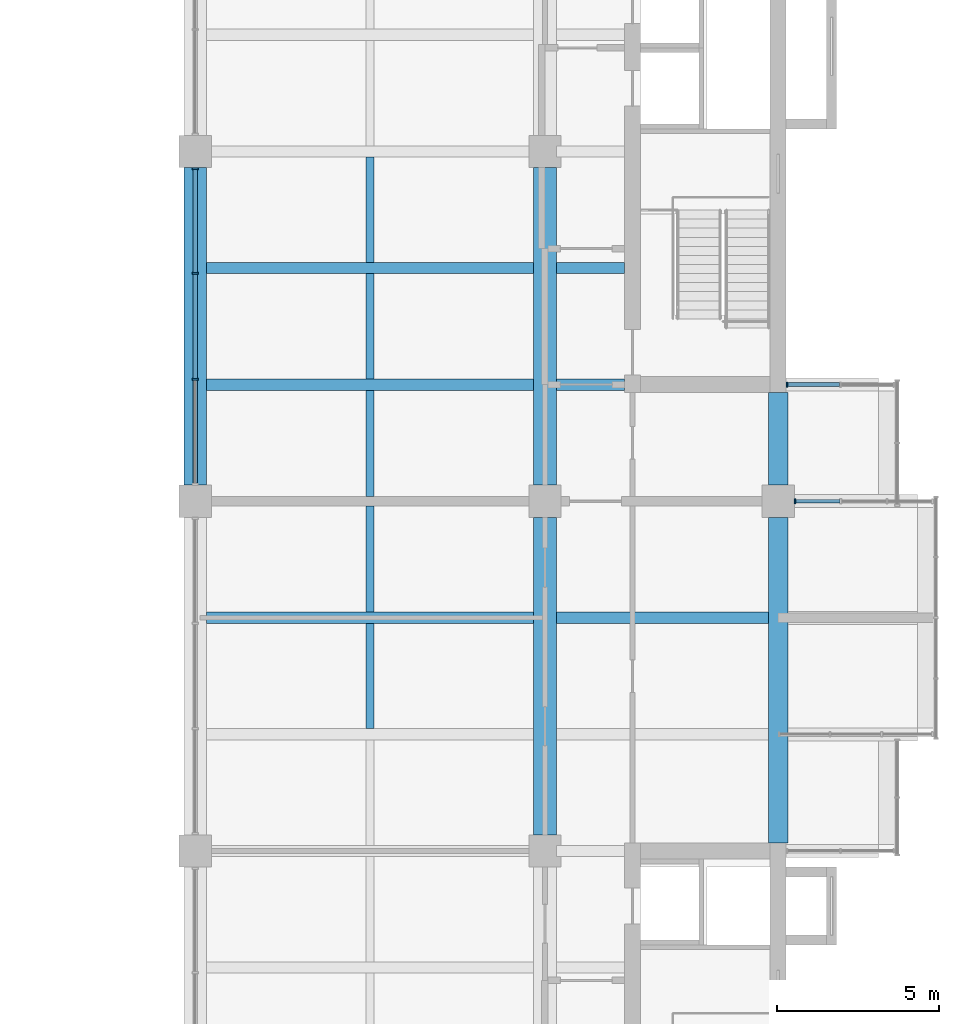
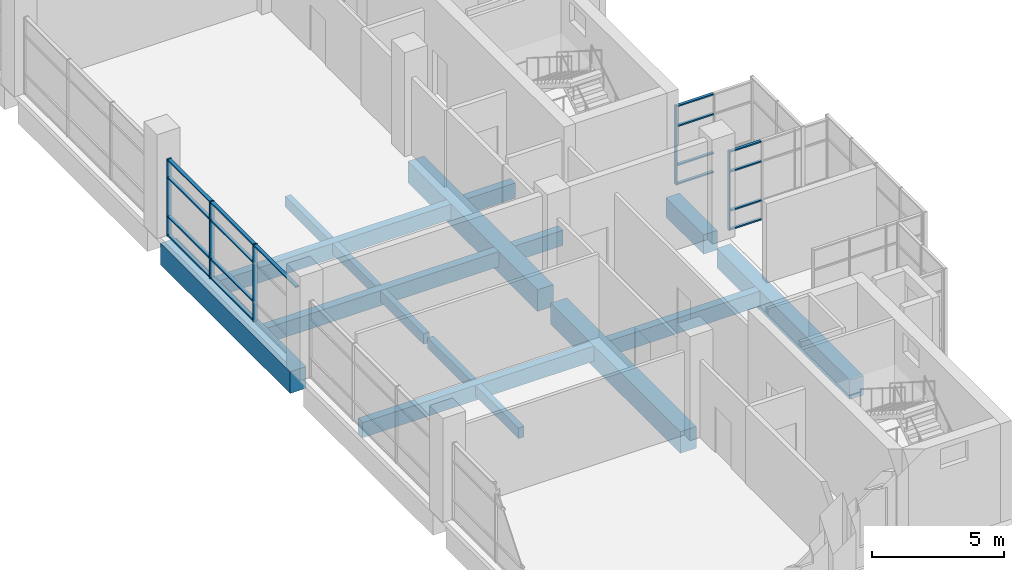
# One storey, part 6 of 30: 22 members, 16 beams, 3 elements without a shape of their own.
"""IFC4 building model written with IfcOpenShell, lengths in metres."""

from ifc_helpers import new_model, si_unit, direction, frame, origin, origin_2d, place, context, subcontext, project, spatial, rectangle, extrude, material, layer, layer_set, material_profile, profile_set, type_object, element, aggregate, save


model = new_model("IFC4")

# Units and contexts
model_context = context("Model", 3, precision=1e-05, world=origin(), true_north=direction((0.0, 1.0)))
body_context = subcontext(model_context, "Body", "Model", "MODEL_VIEW")
ifc_project = project(units=[si_unit("LENGTHUNIT", "METRE"), si_unit("AREAUNIT", "SQUARE_METRE"), si_unit("VOLUMEUNIT", "CUBIC_METRE"), si_unit("PLANEANGLEUNIT", "RADIAN"), si_unit("MASSUNIT", "GRAM", prefix="KILO")], contexts=[model_context])

# Site, building, storey
site_placement = place(None, origin())
site = spatial("IfcSite", under=ifc_project, at=site_placement, CompositionType="ELEMENT")
building_placement = place(site_placement, origin())
building = spatial("IfcBuilding", under=site, at=building_placement, Name="Basin Gate Institute", CompositionType="ELEMENT")
storey_placement = place(building_placement, frame((0.0, 0.0, 36.60009765625)))
storey = spatial("IfcBuildingStorey", under=building, at=storey_placement, Name="L07", CompositionType="ELEMENT", Elevation=36.60009765625)

# Beams
ifc_material_1 = material(Name="Concrete 40 MPa", Category="concrete")
ifc_material_profile_1 = material_profile(ifc_material_1, rectangle(XDim=0.35009765625, YDim=0.699951171875, at=origin_2d()), Name="Beam B1 350 x 700")
ifc_profile_set_1 = profile_set([ifc_material_profile_1], Name="Concrete 40 MPa")
beam_type_1 = type_object("IfcBeamType", Name="Beam B1 R120", PredefinedType="BEAM", material=ifc_profile_set_1)
beam_1_placement = place(storey_placement, frame((111.25, 53.10009765625, -0.60009765625), z_axis=(-1.0, 0.0, 0.0), x_axis=(0.0, -1.0, 0.0)))
element("IfcBeam", 1, at=beam_1_placement, inside=storey, type_object=beam_type_1, material=ifc_profile_set_1, Name="BEAM/L07/E/EW/06", PredefinedType="BEAM", context=body_context, shape_type="SweptSolid", body=[
    extrude(rectangle(XDim=0.35009765625, YDim=0.699951171875, at=origin_2d()), origin(), (0.0, 0.0, 1.0), 10.10009765625),
])
beam_2_placement = place(storey_placement, frame((118.5, 53.10009765625, -0.60009765625), z_axis=(-1.0, 0.0, 0.0), x_axis=(0.0, -1.0, 0.0)))
element("IfcBeam", 2, at=beam_2_placement, inside=storey, type_object=beam_type_1, material=ifc_profile_set_1, Name="BEAM/L07/E/OUT/06", PredefinedType="BEAM", context=body_context, shape_type="SweptSolid", body=[
    extrude(rectangle(XDim=0.35009765625, YDim=0.699951171875, at=origin_2d()), origin(), (0.0, 0.0, 1.0), 6.550048828125),
])
beam_3_placement = place(storey_placement, frame((111.25, 60.300048828125, -0.60009765625), z_axis=(-1.0, 0.0, 0.0), x_axis=(0.0, -1.0, 0.0)))
element("IfcBeam", 3, at=beam_3_placement, inside=storey, type_object=beam_type_1, material=ifc_profile_set_1, Name="BEAM/L07/E/EW/08", PredefinedType="BEAM", context=body_context, shape_type="SweptSolid", body=[
    extrude(rectangle(XDim=0.35009765625, YDim=0.699951171875, at=origin_2d()), origin(), (0.0, 0.0, 1.0), 10.10009765625),
])
beam_4_placement = place(storey_placement, frame((114.050048828125, 60.300048828125, -0.60009765625), z_axis=(-1.0, 0.0, 0.0), x_axis=(0.0, -1.0, 0.0)))
element("IfcBeam", 4, at=beam_4_placement, inside=storey, type_object=beam_type_1, material=ifc_profile_set_1, Name="BEAM/L07/E/CORR/08", PredefinedType="BEAM", context=body_context, shape_type="SweptSolid", body=[
    extrude(rectangle(XDim=0.35009765625, YDim=0.699951171875, at=origin_2d()), origin(), (0.0, 0.0, 1.0), 2.10009765625),
])
beam_5_placement = place(storey_placement, frame((111.25, 63.89990234375, -0.60009765625), z_axis=(-1.0, 0.0, 0.0), x_axis=(0.0, -1.0, 0.0)))
element("IfcBeam", 5, at=beam_5_placement, inside=storey, type_object=beam_type_1, material=ifc_profile_set_1, Name="BEAM/L07/E/EW/09", PredefinedType="BEAM", context=body_context, shape_type="SweptSolid", body=[
    extrude(rectangle(XDim=0.35009765625, YDim=0.699951171875, at=origin_2d()), origin(), (0.0, 0.0, 1.0), 10.10009765625),
])
beam_6_placement = place(storey_placement, frame((114.050048828125, 63.89990234375, -0.60009765625), z_axis=(-1.0, 0.0, 0.0), x_axis=(0.0, -1.0, 0.0)))
element("IfcBeam", 6, at=beam_6_placement, inside=storey, type_object=beam_type_1, material=ifc_profile_set_1, Name="BEAM/L07/E/CORR/09", PredefinedType="BEAM", context=body_context, shape_type="SweptSolid", body=[
    extrude(rectangle(XDim=0.35009765625, YDim=0.699951171875, at=origin_2d()), origin(), (0.0, 0.0, 1.0), 2.10009765625),
])
ifc_material_2 = material(Name="Concrete 50 MPa", Category="concrete")
ifc_material_profile_2 = material_profile(ifc_material_2, rectangle(XDim=0.60009765625, YDim=0.89990234375, at=origin_2d()), Name="Edge beam EB1 600 x 900")
ifc_profile_set_2 = profile_set([ifc_material_profile_2], Name="Concrete 50 MPa")
beam_type_2 = type_object("IfcBeamType", Name="Edge beam EB1 R120", PredefinedType="SPANDREL", material=ifc_profile_set_2)
beam_7_placement = place(storey_placement, frame((118.800048828125, 46.14990234375, -0.7001953125), z_axis=(0.0, 1.0, 0.0), x_axis=(-1.0, 0.0, 0.0)))
element("IfcBeam", 7, at=beam_7_placement, inside=storey, type_object=beam_type_2, material=ifc_profile_set_2, Name="BEAM/L07/E/EDGE/1", PredefinedType="SPANDREL", context=body_context, shape_type="SweptSolid", body=[
    extrude(rectangle(XDim=0.60009765625, YDim=0.89990234375, at=origin_2d()), origin(), (0.0, 0.0, 1.0), 10.050048828125),
])
ifc_material_3 = material(Name="Concrete 50 MPa", Category="concrete")
ifc_material_profile_3 = material_profile(ifc_material_3, rectangle(XDim=0.60009765625, YDim=0.89990234375, at=origin_2d()), Name="Edge return beam EB3 600 x 900")
ifc_profile_set_3 = profile_set([ifc_material_profile_3], Name="Concrete 50 MPa")
beam_type_3 = type_object("IfcBeamType", Name="Edge return beam EB3 R120", PredefinedType="SPANDREL", material=ifc_profile_set_3)
beam_8_placement = place(storey_placement, frame((118.800048828125, 57.199951171875, -0.7001953125), z_axis=(0.0, 1.0, 0.0), x_axis=(-1.0, 0.0, 0.0)))
element("IfcBeam", 8, at=beam_8_placement, inside=storey, type_object=beam_type_3, material=ifc_profile_set_3, Name="BEAM/L07/E/EDGE/2", PredefinedType="SPANDREL", context=body_context, shape_type="SweptSolid", body=[
    extrude(rectangle(XDim=0.60009765625, YDim=0.89990234375, at=origin_2d()), origin(), (0.0, 0.0, 1.0), 2.85009765625),
])
ifc_material_4 = material(Name="Concrete 50 MPa", Category="concrete")
ifc_material_profile_4 = material_profile(ifc_material_4, rectangle(XDim=0.699951171875, YDim=1.0, at=origin_2d()), Name="Girder G1 700 x 1000")
ifc_profile_set_4 = profile_set([ifc_material_profile_4], Name="Concrete 50 MPa")
beam_type_4 = type_object("IfcBeamType", Name="Girder G1 R120", PredefinedType="BEAM", material=ifc_profile_set_4)
for number, where, z_axis, x_axis, name in (
    (9, (111.60009765625, 46.39990234375, -0.75), (0.0, 1.0, 0.0), (-1.0, 0.0, 0.0), "GIR/L07/E8/2"),
    (10, (111.60009765625, 57.199951171875, -0.75), (0.0, 1.0, 0.0), (-1.0, 0.0, 0.0), "GIR/L07/E8/3"),
    (11, (100.800048828125, 57.199951171875, -0.75), (0.0, 1.0, 0.0), (-1.0, 0.0, 0.0), "GIR/L07/E7/3"),
):
    element("IfcBeam", number, at=place(storey_placement, frame(where, z_axis=z_axis, x_axis=x_axis)), inside=storey, type_object=beam_type_4, material=ifc_profile_set_4, Name=name, PredefinedType="BEAM", context=body_context, shape_type="SweptSolid", body=[
        extrude(rectangle(XDim=0.699951171875, YDim=1.0, at=origin_2d()), origin(), (0.0, 0.0, 1.0), 9.800048828125),
    ])

# Curtain wall, member
ifc_material_5 = material(Name="Aluminium-framed glazing", Category="aluminium")
ifc_layer_1 = layer(ifc_material_5, 0.14990234375)
ifc_layer_set_1 = layer_set([ifc_layer_1], Name="Capsule front curtain wall CW1")
curtain_wall_type_1 = type_object("IfcCurtainWallType", Name="Capsule front curtain wall CW1", PredefinedType="NOTDEFINED", material=ifc_layer_set_1)
curtain_wall_1_placement = place(storey_placement, origin())
curtain_wall_1 = element("IfcCurtainWall", 12, at=curtain_wall_1_placement, inside=storey, type_object=curtain_wall_type_1, material=ifc_layer_set_1, Name="Capsule front curtain wall E wing capsule end L07 line 7", PredefinedType="NOTDEFINED")
ifc_material_6 = material(Name="Aluminium", Category="aluminium")
ifc_material_profile_5 = material_profile(ifc_material_6, rectangle(XDim=0.14990234375, YDim=0.050048828125, at=origin_2d()), Name="Mullion MU1 150 x 50")
ifc_profile_set_5 = profile_set([ifc_material_profile_5], Name="Aluminium")
member_type_1 = type_object("IfcMemberType", Name="Mullion MU1", PredefinedType="MULLION", material=ifc_profile_set_5)
member_1_placement = place(storey_placement, frame((119.324951171875, 56.699951171875, 0.0), z_axis=(0.0, 0.0, 1.0), x_axis=(0.0, -1.0, 0.0)))
member_1 = element("IfcMember", 13, at=member_1_placement, type_object=member_type_1, material=ifc_profile_set_5, Name="CW1 mullion 4", PredefinedType="MULLION", context=body_context, shape_type="SweptSolid", body=[
    extrude(rectangle(XDim=0.14990234375, YDim=0.050048828125, at=origin_2d()), origin(), (0.0, 0.0, 1.0), 3.64990234375),
])

curtain_wall_2_placement = place(storey_placement, origin())
curtain_wall_2 = element("IfcCurtainWall", 14, at=curtain_wall_2_placement, inside=storey, type_object=curtain_wall_type_1, material=ifc_layer_set_1, Name="Capsule front curtain wall E wing capsule end L07 line 8", PredefinedType="NOTDEFINED")
member_2_placement = place(storey_placement, frame((119.074951171875, 60.300048828125, 0.0), z_axis=(0.0, 0.0, 1.0), x_axis=(0.0, -1.0, 0.0)))
member_2 = element("IfcMember", 15, at=member_2_placement, type_object=member_type_1, material=ifc_profile_set_5, Name="CW1 mullion 3", PredefinedType="MULLION", context=body_context, shape_type="SweptSolid", body=[
    extrude(rectangle(XDim=0.14990234375, YDim=0.050048828125, at=origin_2d()), origin(), (0.0, 0.0, 1.0), 3.64990234375),
])

# Curtain wall, members
ifc_material_7 = material(Name="Aluminium-framed glazing", Category="aluminium")
ifc_layer_2 = layer(ifc_material_7, 0.199951171875)
ifc_layer_set_2 = layer_set([ifc_layer_2], Name="Atrium curtain wall CW2")
curtain_wall_type_2 = type_object("IfcCurtainWallType", Name="Atrium curtain wall CW2", PredefinedType="NOTDEFINED", material=ifc_layer_set_2)
curtain_wall_3_placement = place(storey_placement, origin())
curtain_wall_3 = element("IfcCurtainWall", 16, at=curtain_wall_3_placement, inside=storey, type_object=curtain_wall_type_2, material=ifc_layer_set_2, Name="Atrium curtain wall E wing atrium bay 3 L07", PredefinedType="NOTDEFINED")
ifc_material_8 = material(Name="Aluminium", Category="aluminium")
ifc_material_profile_6 = material_profile(ifc_material_8, rectangle(XDim=0.199951171875, YDim=0.06005859375, at=origin_2d()), Name="Mullion MU2 200 x 60")
ifc_profile_set_6 = profile_set([ifc_material_profile_6], Name="Aluminium")
member_type_2 = type_object("IfcMemberType", Name="Mullion MU2", PredefinedType="MULLION", material=ifc_profile_set_6)
member_3_placement = place(storey_placement, frame((100.800048828125, 60.466552734375, 0.0), z_axis=(0.0, 0.0, 1.0), x_axis=(-1.0, 0.0, 0.0)))
member_3 = element("IfcMember", 17, at=member_3_placement, type_object=member_type_2, material=ifc_profile_set_6, Name="CW2 mullion 2", PredefinedType="MULLION", context=body_context, shape_type="SweptSolid", body=[
    extrude(rectangle(XDim=0.199951171875, YDim=0.06005859375, at=origin_2d()), origin(), (0.0, 0.0, 1.0), 3.5498046875),
])
member_4_placement = place(storey_placement, frame((100.800048828125, 63.7333984375, 0.0), z_axis=(0.0, 0.0, 1.0), x_axis=(-1.0, 0.0, 0.0)))
member_4 = element("IfcMember", 18, at=member_4_placement, type_object=member_type_2, material=ifc_profile_set_6, Name="CW2 mullion 3", PredefinedType="MULLION", context=body_context, shape_type="SweptSolid", body=[
    extrude(rectangle(XDim=0.199951171875, YDim=0.06005859375, at=origin_2d()), origin(), (0.0, 0.0, 1.0), 3.5498046875),
])
member_5_placement = place(storey_placement, frame((100.800048828125, 66.969970703125, 0.0), z_axis=(0.0, 0.0, 1.0), x_axis=(-1.0, 0.0, 0.0)))
member_5 = element("IfcMember", 19, at=member_5_placement, type_object=member_type_2, material=ifc_profile_set_6, Name="CW2 mullion 4", PredefinedType="MULLION", context=body_context, shape_type="SweptSolid", body=[
    extrude(rectangle(XDim=0.199951171875, YDim=0.06005859375, at=origin_2d()), origin(), (0.0, 0.0, 1.0), 3.5498046875),
])

# Beams
ifc_material_9 = material(Name="Concrete 40 MPa", Category="concrete")
ifc_material_profile_7 = material_profile(ifc_material_9, rectangle(XDim=0.25, YDim=0.5, at=origin_2d()), Name="Rib R1 250 x 500")
ifc_profile_set_7 = profile_set([ifc_material_profile_7], Name="Concrete 40 MPa")
beam_type_5 = type_object("IfcBeamType", Name="Rib R1 R120", PredefinedType="JOIST", material=ifc_profile_set_7)
beam_9_placement = place(storey_placement, frame((106.199951171875, 49.675048828125, -0.5), z_axis=(0.0, 1.0, 0.0), x_axis=(-1.0, 0.0, 0.0)))
element("IfcBeam", 20, at=beam_9_placement, inside=storey, type_object=beam_type_5, material=ifc_profile_set_7, Name="BEAM/L07/E/RIB/05", PredefinedType="JOIST", context=body_context, shape_type="SweptSolid", body=[
    extrude(rectangle(XDim=0.25, YDim=0.5, at=origin_2d()), origin(), (0.0, 0.0, 1.0), 3.25),
])
beam_10_placement = place(storey_placement, frame((106.199951171875, 53.27490234375, -0.5), z_axis=(0.0, 1.0, 0.0), x_axis=(-1.0, 0.0, 0.0)))
element("IfcBeam", 21, at=beam_10_placement, inside=storey, type_object=beam_type_5, material=ifc_profile_set_7, Name="BEAM/L07/E/RIB/06", PredefinedType="JOIST", context=body_context, shape_type="SweptSolid", body=[
    extrude(rectangle(XDim=0.25, YDim=0.5, at=origin_2d()), origin(), (0.0, 0.0, 1.0), 3.275146484375),
])
beam_11_placement = place(storey_placement, frame((106.199951171875, 56.85009765625, -0.5), z_axis=(0.0, 1.0, 0.0), x_axis=(-1.0, 0.0, 0.0)))
element("IfcBeam", 22, at=beam_11_placement, inside=storey, type_object=beam_type_5, material=ifc_profile_set_7, Name="BEAM/L07/E/RIB/07", PredefinedType="JOIST", context=body_context, shape_type="SweptSolid", body=[
    extrude(rectangle(XDim=0.25, YDim=0.5, at=origin_2d()), origin(), (0.0, 0.0, 1.0), 3.27490234375),
])
for number, where, z_axis, x_axis, name in (
    (23, (106.199951171875, 60.47509765625, -0.5), (0.0, 1.0, 0.0), (-1.0, 0.0, 0.0), "BEAM/L07/E/RIB/08"),
    (24, (106.199951171875, 64.074951171875, -0.5), (0.0, 1.0, 0.0), (-1.0, 0.0, 0.0), "BEAM/L07/E/RIB/09"),
):
    element("IfcBeam", number, at=place(storey_placement, frame(where, z_axis=z_axis, x_axis=x_axis)), inside=storey, type_object=beam_type_5, material=ifc_profile_set_7, Name=name, PredefinedType="JOIST", context=body_context, shape_type="SweptSolid", body=[
        extrude(rectangle(XDim=0.25, YDim=0.5, at=origin_2d()), origin(), (0.0, 0.0, 1.0), 3.25),
    ])

# Member
ifc_material_10 = material(Name="Aluminium", Category="aluminium")
ifc_material_profile_8 = material_profile(ifc_material_10, rectangle(XDim=0.1201171875, YDim=0.06005859375, at=origin_2d()), Name="Transom TR1 120 x 60")
ifc_profile_set_8 = profile_set([ifc_material_profile_8], Name="Aluminium")
member_type_3 = type_object("IfcMemberType", Name="Transom TR1", PredefinedType="USERDEFINED", material=ifc_profile_set_8)
member_6_placement = place(storey_placement, frame((120.708251953125, 56.699951171875, 0.02978515625), z_axis=(-1.0, 0.0, 0.0), x_axis=(0.0, -1.0, 0.0)))
member_6 = element("IfcMember", 25, at=member_6_placement, type_object=member_type_3, material=ifc_profile_set_8, Name="CW1 transom 3.1", ObjectType="TRANSOM", PredefinedType="USERDEFINED", context=body_context, shape_type="SweptSolid", body=[
    extrude(rectangle(XDim=0.1201171875, YDim=0.06005859375, at=origin_2d()), origin(), (0.0, 0.0, 1.0), 1.358154296875),
])

member_7_placement = place(storey_placement, frame((120.708251953125, 56.699951171875, 0.89990234375), z_axis=(-1.0, 0.0, 0.0), x_axis=(0.0, -1.0, 0.0)))
member_7 = element("IfcMember", 26, at=member_7_placement, type_object=member_type_3, material=ifc_profile_set_8, Name="CW1 transom 3.2", ObjectType="TRANSOM", PredefinedType="USERDEFINED", context=body_context, shape_type="SweptSolid", body=[
    extrude(rectangle(XDim=0.1201171875, YDim=0.06005859375, at=origin_2d()), origin(), (0.0, 0.0, 1.0), 1.358154296875),
])

member_8_placement = place(storey_placement, frame((120.708251953125, 56.699951171875, 2.699951171875), z_axis=(-1.0, 0.0, 0.0), x_axis=(0.0, -1.0, 0.0)))
member_8 = element("IfcMember", 27, at=member_8_placement, type_object=member_type_3, material=ifc_profile_set_8, Name="CW1 transom 3.3", ObjectType="TRANSOM", PredefinedType="USERDEFINED", context=body_context, shape_type="SweptSolid", body=[
    extrude(rectangle(XDim=0.1201171875, YDim=0.06005859375, at=origin_2d()), origin(), (0.0, 0.0, 1.0), 1.358154296875),
])

member_9_placement = place(storey_placement, frame((120.708251953125, 56.699951171875, 3.619873046875), z_axis=(-1.0, 0.0, 0.0), x_axis=(0.0, -1.0, 0.0)))
member_9 = element("IfcMember", 28, at=member_9_placement, type_object=member_type_3, material=ifc_profile_set_8, Name="CW1 transom 3.4", ObjectType="TRANSOM", PredefinedType="USERDEFINED", context=body_context, shape_type="SweptSolid", body=[
    extrude(rectangle(XDim=0.1201171875, YDim=0.06005859375, at=origin_2d()), origin(), (0.0, 0.0, 1.0), 1.358154296875),
])

aggregate(curtain_wall_1, [member_1, member_6, member_7, member_8, member_9])

member_10_placement = place(storey_placement, frame((120.699951171875, 60.300048828125, 0.02978515625), z_axis=(-1.0, 0.0, 0.0), x_axis=(0.0, -1.0, 0.0)))
member_10 = element("IfcMember", 29, at=member_10_placement, type_object=member_type_3, material=ifc_profile_set_8, Name="CW1 transom 2.1", ObjectType="TRANSOM", PredefinedType="USERDEFINED", context=body_context, shape_type="SweptSolid", body=[
    extrude(rectangle(XDim=0.1201171875, YDim=0.06005859375, at=origin_2d()), origin(), (0.0, 0.0, 1.0), 1.599853515625),
])

member_11_placement = place(storey_placement, frame((120.699951171875, 60.300048828125, 0.89990234375), z_axis=(-1.0, 0.0, 0.0), x_axis=(0.0, -1.0, 0.0)))
member_11 = element("IfcMember", 30, at=member_11_placement, type_object=member_type_3, material=ifc_profile_set_8, Name="CW1 transom 2.2", ObjectType="TRANSOM", PredefinedType="USERDEFINED", context=body_context, shape_type="SweptSolid", body=[
    extrude(rectangle(XDim=0.1201171875, YDim=0.06005859375, at=origin_2d()), origin(), (0.0, 0.0, 1.0), 1.599853515625),
])

member_12_placement = place(storey_placement, frame((120.699951171875, 60.300048828125, 2.699951171875), z_axis=(-1.0, 0.0, 0.0), x_axis=(0.0, -1.0, 0.0)))
member_12 = element("IfcMember", 31, at=member_12_placement, type_object=member_type_3, material=ifc_profile_set_8, Name="CW1 transom 2.3", ObjectType="TRANSOM", PredefinedType="USERDEFINED", context=body_context, shape_type="SweptSolid", body=[
    extrude(rectangle(XDim=0.1201171875, YDim=0.06005859375, at=origin_2d()), origin(), (0.0, 0.0, 1.0), 1.599853515625),
])

member_13_placement = place(storey_placement, frame((120.699951171875, 60.300048828125, 3.619873046875), z_axis=(-1.0, 0.0, 0.0), x_axis=(0.0, -1.0, 0.0)))
member_13 = element("IfcMember", 32, at=member_13_placement, type_object=member_type_3, material=ifc_profile_set_8, Name="CW1 transom 2.4", ObjectType="TRANSOM", PredefinedType="USERDEFINED", context=body_context, shape_type="SweptSolid", body=[
    extrude(rectangle(XDim=0.1201171875, YDim=0.06005859375, at=origin_2d()), origin(), (0.0, 0.0, 1.0), 1.599853515625),
])

aggregate(curtain_wall_2, [member_2, member_10, member_11, member_12, member_13])

ifc_material_11 = material(Name="Aluminium", Category="aluminium")
ifc_material_profile_9 = material_profile(ifc_material_11, rectangle(XDim=0.14990234375, YDim=0.06005859375, at=origin_2d()), Name="Transom TR2 150 x 60")
ifc_profile_set_9 = profile_set([ifc_material_profile_9], Name="Aluminium")
member_type_4 = type_object("IfcMemberType", Name="Transom TR2", PredefinedType="USERDEFINED", material=ifc_profile_set_9)
member_14_placement = place(storey_placement, frame((100.800048828125, 57.260009765625, 3.52001953125), z_axis=(0.0, 1.0, 0.0), x_axis=(-1.0, 0.0, 0.0)))
member_14 = element("IfcMember", 33, at=member_14_placement, type_object=member_type_4, material=ifc_profile_set_9, Name="CW2 transom 1.4", ObjectType="TRANSOM", PredefinedType="USERDEFINED", context=body_context, shape_type="SweptSolid", body=[
    extrude(rectangle(XDim=0.14990234375, YDim=0.06005859375, at=origin_2d()), origin(), (0.0, 0.0, 1.0), 3.1767578125),
])

member_15_placement = place(storey_placement, frame((100.800048828125, 60.49658203125, 0.02978515625), z_axis=(0.0, 1.0, 0.0), x_axis=(-1.0, 0.0, 0.0)))
member_15 = element("IfcMember", 34, at=member_15_placement, type_object=member_type_4, material=ifc_profile_set_9, Name="CW2 transom 2.1", ObjectType="TRANSOM", PredefinedType="USERDEFINED", context=body_context, shape_type="SweptSolid", body=[
    extrude(rectangle(XDim=0.14990234375, YDim=0.06005859375, at=origin_2d()), origin(), (0.0, 0.0, 1.0), 3.206787109375),
])

member_16_placement = place(storey_placement, frame((100.800048828125, 60.49658203125, 0.89990234375), z_axis=(0.0, 1.0, 0.0), x_axis=(-1.0, 0.0, 0.0)))
member_16 = element("IfcMember", 35, at=member_16_placement, type_object=member_type_4, material=ifc_profile_set_9, Name="CW2 transom 2.2", ObjectType="TRANSOM", PredefinedType="USERDEFINED", context=body_context, shape_type="SweptSolid", body=[
    extrude(rectangle(XDim=0.14990234375, YDim=0.06005859375, at=origin_2d()), origin(), (0.0, 0.0, 1.0), 3.206787109375),
])

member_17_placement = place(storey_placement, frame((100.800048828125, 60.49658203125, 2.699951171875), z_axis=(0.0, 1.0, 0.0), x_axis=(-1.0, 0.0, 0.0)))
member_17 = element("IfcMember", 36, at=member_17_placement, type_object=member_type_4, material=ifc_profile_set_9, Name="CW2 transom 2.3", ObjectType="TRANSOM", PredefinedType="USERDEFINED", context=body_context, shape_type="SweptSolid", body=[
    extrude(rectangle(XDim=0.14990234375, YDim=0.06005859375, at=origin_2d()), origin(), (0.0, 0.0, 1.0), 3.206787109375),
])

member_18_placement = place(storey_placement, frame((100.800048828125, 60.49658203125, 3.52001953125), z_axis=(0.0, 1.0, 0.0), x_axis=(-1.0, 0.0, 0.0)))
member_18 = element("IfcMember", 37, at=member_18_placement, type_object=member_type_4, material=ifc_profile_set_9, Name="CW2 transom 2.4", ObjectType="TRANSOM", PredefinedType="USERDEFINED", context=body_context, shape_type="SweptSolid", body=[
    extrude(rectangle(XDim=0.14990234375, YDim=0.06005859375, at=origin_2d()), origin(), (0.0, 0.0, 1.0), 3.206787109375),
])

member_19_placement = place(storey_placement, frame((100.800048828125, 63.763427734375, 0.02978515625), z_axis=(0.0, 1.0, 0.0), x_axis=(-1.0, 0.0, 0.0)))
member_19 = element("IfcMember", 38, at=member_19_placement, type_object=member_type_4, material=ifc_profile_set_9, Name="CW2 transom 3.1", ObjectType="TRANSOM", PredefinedType="USERDEFINED", context=body_context, shape_type="SweptSolid", body=[
    extrude(rectangle(XDim=0.14990234375, YDim=0.06005859375, at=origin_2d()), origin(), (0.0, 0.0, 1.0), 3.176513671875),
])

member_20_placement = place(storey_placement, frame((100.800048828125, 63.763427734375, 0.89990234375), z_axis=(0.0, 1.0, 0.0), x_axis=(-1.0, 0.0, 0.0)))
member_20 = element("IfcMember", 39, at=member_20_placement, type_object=member_type_4, material=ifc_profile_set_9, Name="CW2 transom 3.2", ObjectType="TRANSOM", PredefinedType="USERDEFINED", context=body_context, shape_type="SweptSolid", body=[
    extrude(rectangle(XDim=0.14990234375, YDim=0.06005859375, at=origin_2d()), origin(), (0.0, 0.0, 1.0), 3.176513671875),
])

member_21_placement = place(storey_placement, frame((100.800048828125, 63.763427734375, 2.699951171875), z_axis=(0.0, 1.0, 0.0), x_axis=(-1.0, 0.0, 0.0)))
member_21 = element("IfcMember", 40, at=member_21_placement, type_object=member_type_4, material=ifc_profile_set_9, Name="CW2 transom 3.3", ObjectType="TRANSOM", PredefinedType="USERDEFINED", context=body_context, shape_type="SweptSolid", body=[
    extrude(rectangle(XDim=0.14990234375, YDim=0.06005859375, at=origin_2d()), origin(), (0.0, 0.0, 1.0), 3.176513671875),
])

member_22_placement = place(storey_placement, frame((100.800048828125, 63.763427734375, 3.52001953125), z_axis=(0.0, 1.0, 0.0), x_axis=(-1.0, 0.0, 0.0)))
member_22 = element("IfcMember", 41, at=member_22_placement, type_object=member_type_4, material=ifc_profile_set_9, Name="CW2 transom 3.4", ObjectType="TRANSOM", PredefinedType="USERDEFINED", context=body_context, shape_type="SweptSolid", body=[
    extrude(rectangle(XDim=0.14990234375, YDim=0.06005859375, at=origin_2d()), origin(), (0.0, 0.0, 1.0), 3.176513671875),
])

aggregate(curtain_wall_3, [member_3, member_4, member_5, member_14, member_15, member_16, member_17, member_18, member_19, member_20, member_21, member_22])

save(model, "model.ifc")
